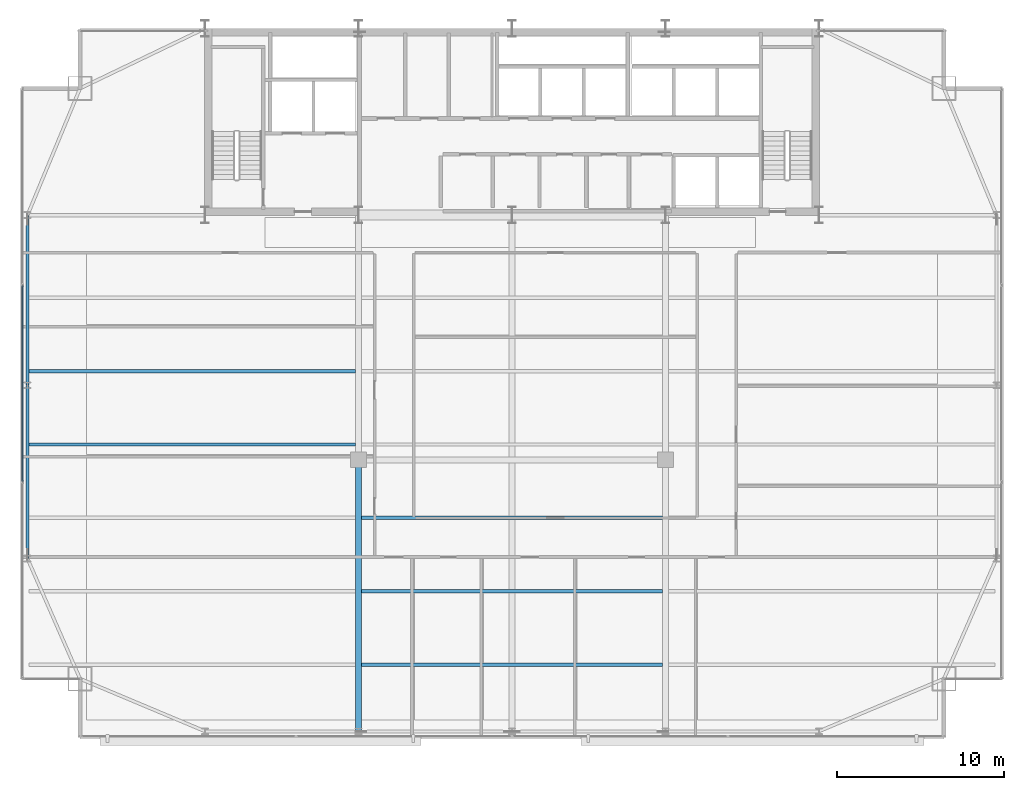
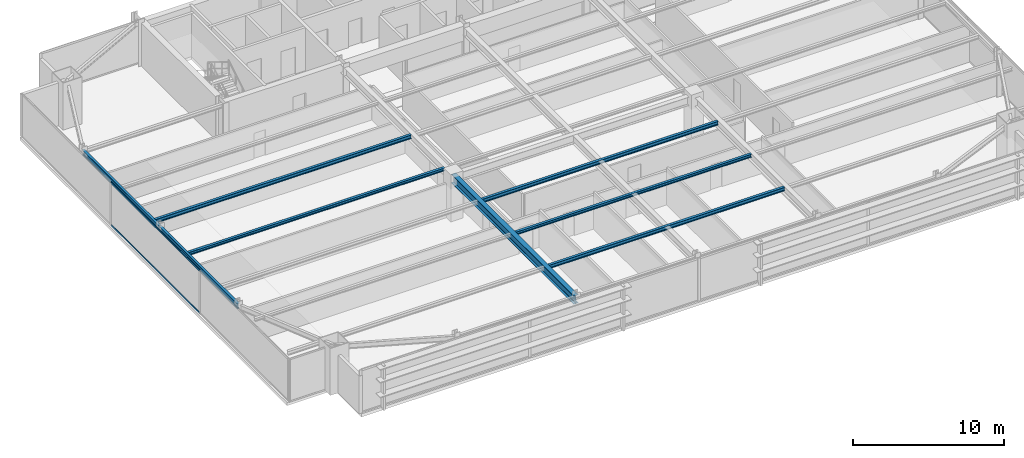
# One storey, part 9 of 33: 8 beams, 2 members, 1 element without a shape of its own.
"""IFC4 building model written with IfcOpenShell, lengths in metres."""

from ifc_helpers import new_model, si_unit, direction, frame, origin, origin_2d, place, context, subcontext, project, spatial, hollow_rectangle, i_section, extrude, source, transform, mapped, material, layer, layer_set, material_profile, profile_set, type_object, type_shapes, element, aggregate, save


model = new_model("IFC4")

# Units and contexts
model_context = context("Model", 3, precision=1e-05, world=origin(), true_north=direction((0.0, 1.0)))
body_context = subcontext(model_context, "Body", "Model", "MODEL_VIEW")
ifc_project = project(units=[si_unit("LENGTHUNIT", "METRE"), si_unit("AREAUNIT", "SQUARE_METRE"), si_unit("VOLUMEUNIT", "CUBIC_METRE"), si_unit("PLANEANGLEUNIT", "RADIAN"), si_unit("MASSUNIT", "GRAM", prefix="KILO")], contexts=[model_context])

# Site, building, storey
site_placement = place(None, origin())
site = spatial("IfcSite", under=ifc_project, at=site_placement, CompositionType="ELEMENT")
building_placement = place(site_placement, origin())
building = spatial("IfcBuilding", under=site, at=building_placement, Name="Varnel Quay Broadcast Tower", CompositionType="ELEMENT")
storey_placement = place(building_placement, frame((0.0, 0.0, 137.199951171875)))
storey = spatial("IfcBuildingStorey", under=building, at=storey_placement, Name="L33", CompositionType="ELEMENT", Elevation=137.199951171875)

# Beams
ifc_material_1 = material(Name="Structural Steel CSA G40.21 350W", Category="steel")
ifc_material_profile_1 = material_profile(ifc_material_1, i_section(OverallWidth=0.180908203125, OverallDepth=0.4169921875, WebThickness=0.010986328125, FlangeThickness=0.018310546875, FilletRadius=0.011962890625, at=origin_2d()), Name="W410X85")
ifc_profile_set_1 = profile_set([ifc_material_profile_1], Name="Structural Steel CSA G40.21 350W")
beam_type_1 = type_object("IfcBeamType", Name="Beam_W410X85", PredefinedType="SPANDREL", material=ifc_profile_set_1)
shared_shape_1 = source(origin(), body_context, "Body", "SweptSolid", [
    extrude(i_section(OverallWidth=0.180908203125, OverallDepth=0.4169921875, WebThickness=0.010986328125, FlangeThickness=0.018310546875, FilletRadius=0.011962890625, at=origin_2d()), origin(), (0.0, 0.0, 1.0), 10.35986328125),
])
beam_1_placement = place(storey_placement, frame((4.949951171875, 15.02001953125, 3.271484375), z_axis=(0.0, 1.0, 0.0), x_axis=(-1.0, 0.0, 0.0)))
element("IfcBeam", 1, at=beam_1_placement, inside=storey, type_object=beam_type_1, Name="L33 West Spandrel TC-W1-TC-W2", PredefinedType="SPANDREL", context=body_context, shape_type="MappedRepresentation", body=[
    mapped(shared_shape_1, transform((0.0, 0.0, 0.0), x_axis=(1.0, 0.0, 0.0), y_axis=(0.0, 1.0, 0.0), z_axis=(0.0, 0.0, 1.0), scale=1.0)),
])
shared_shape_2 = source(origin(), body_context, "Body", "SweptSolid", [
    extrude(i_section(OverallWidth=0.180908203125, OverallDepth=0.4169921875, WebThickness=0.010986328125, FlangeThickness=0.018310546875, FilletRadius=0.011962890625, at=origin_2d()), origin(), (0.0, 0.0, 1.0), 10.16015625),
])
type_shapes(beam_type_1, [shared_shape_1, shared_shape_2])
beam_2_placement = place(storey_placement, frame((4.949951171875, 25.419921875, 3.271484375), z_axis=(0.0, 1.0, 0.0), x_axis=(-1.0, 0.0, 0.0)))
element("IfcBeam", 2, at=beam_2_placement, inside=storey, type_object=beam_type_1, Name="L33 West Spandrel TC-W2-TC-W3", PredefinedType="SPANDREL", context=body_context, shape_type="MappedRepresentation", body=[
    mapped(shared_shape_2, transform((0.0, 0.0, 0.0), x_axis=(1.0, 0.0, 0.0), y_axis=(0.0, 1.0, 0.0), z_axis=(0.0, 0.0, 1.0), scale=1.0)),
])
ifc_material_profile_2 = material_profile(ifc_material_1, i_section(OverallWidth=0.35498046875, OverallDepth=0.695068359375, WebThickness=0.015380859375, FlangeThickness=0.02490234375, FilletRadius=0.01806640625, at=origin_2d()), Name="W690X217")
ifc_profile_set_2 = profile_set([ifc_material_profile_2], Name="Structural Steel CSA G40.21 350W")
beam_type_2 = type_object("IfcBeamType", Name="Girder_W690X217", PredefinedType="BEAM", material=ifc_profile_set_2)
shared_shape_3 = source(origin(), body_context, "Body", "SweptSolid", [
    extrude(i_section(OverallWidth=0.35498046875, OverallDepth=0.695068359375, WebThickness=0.015380859375, FlangeThickness=0.02490234375, FilletRadius=0.01806640625, at=origin_2d()), origin(), (0.0, 0.0, 1.0), 16.239990234375),
])
type_shapes(beam_type_2, [shared_shape_3])
beam_3_placement = place(storey_placement, frame((24.800048828125, 4.669921875, 3.132568359375), z_axis=(0.0, 1.0, 0.0), x_axis=(-1.0, 0.0, 0.0)))
element("IfcBeam", 3, at=beam_3_placement, inside=storey, type_object=beam_type_2, Name="L33 Primary Girder TC-S2-IC-01", PredefinedType="BEAM", context=body_context, shape_type="MappedRepresentation", body=[
    mapped(shared_shape_3, transform((0.0, 0.0, 0.0), x_axis=(1.0, 0.0, 0.0), y_axis=(0.0, 1.0, 0.0), z_axis=(0.0, 0.0, 1.0), scale=1.0)),
])
ifc_material_profile_3 = material_profile(ifc_material_1, i_section(OverallWidth=0.202880859375, OverallDepth=0.302978515625, WebThickness=0.007568359375, FlangeThickness=0.01318359375, FilletRadius=0.011962890625, at=origin_2d()), Name="W310X60")
ifc_profile_set_3 = profile_set([ifc_material_profile_3], Name="Structural Steel CSA G40.21 350W")
beam_type_3 = type_object("IfcBeamType", Name="Beam_W310X60", PredefinedType="JOIST", material=ifc_profile_set_3)
shared_shape_4 = source(origin(), body_context, "Body", "SweptSolid", [
    extrude(i_section(OverallWidth=0.202880859375, OverallDepth=0.302978515625, WebThickness=0.007568359375, FlangeThickness=0.01318359375, FilletRadius=0.011962890625, at=origin_2d()), origin(), (0.0, 0.0, 1.0), 19.592041015625),
])
beam_4_placement = place(storey_placement, frame((5.035400390625, 26.25, 3.32861328125), z_axis=(1.0, 0.0, 0.0), x_axis=(0.0, 1.0, 0.0)))
element("IfcBeam", 4, at=beam_4_placement, inside=storey, type_object=beam_type_3, Name="L33 West Floor Joist 5", PredefinedType="JOIST", context=body_context, shape_type="MappedRepresentation", body=[
    mapped(shared_shape_4, transform((0.0, 0.0, 0.0), x_axis=(1.0, 0.0, 0.0), y_axis=(0.0, 1.0, 0.0), z_axis=(0.0, 0.0, 1.0), scale=1.0)),
])
shared_shape_5 = source(origin(), body_context, "Body", "SweptSolid", [
    extrude(i_section(OverallWidth=0.202880859375, OverallDepth=0.302978515625, WebThickness=0.007568359375, FlangeThickness=0.01318359375, FilletRadius=0.011962890625, at=origin_2d()), origin(), (0.0, 0.0, 1.0), 18.05517578125),
])
type_shapes(beam_type_3, [shared_shape_4, shared_shape_5])
for number, where, z_axis, x_axis, name in (
    (5, (24.972412109375, 8.64990234375, 3.32861328125), (1.0, 0.0, 0.0), (0.0, 1.0, 0.0), "L33 Central Floor Joist 1"),
    (6, (24.972412109375, 17.449951171875, 3.32861328125), (1.0, 0.0, 0.0), (0.0, 1.0, 0.0), "L33 Central Floor Joist 3"),
):
    element("IfcBeam", number, at=place(storey_placement, frame(where, z_axis=z_axis, x_axis=x_axis)), inside=storey, type_object=beam_type_3, Name=name, PredefinedType="JOIST", context=body_context, shape_type="MappedRepresentation", body=[
        mapped(shared_shape_5, transform((0.0, 0.0, 0.0), x_axis=(1.0, 0.0, 0.0), y_axis=(0.0, 1.0, 0.0), z_axis=(0.0, 0.0, 1.0), scale=1.0)),
    ])
ifc_material_profile_4 = material_profile(ifc_material_1, i_section(OverallWidth=0.201904296875, OverallDepth=0.2470703125, WebThickness=0.00732421875, FlangeThickness=0.010986328125, FilletRadius=0.010986328125, at=origin_2d()), Name="W250X49")
ifc_profile_set_4 = profile_set([ifc_material_profile_4], Name="Structural Steel CSA G40.21 350W")
beam_type_4 = type_object("IfcBeamType", Name="Beam_W250X49", PredefinedType="JOIST", material=ifc_profile_set_4)
shared_shape_6 = source(origin(), body_context, "Body", "SweptSolid", [
    extrude(i_section(OverallWidth=0.201904296875, OverallDepth=0.2470703125, WebThickness=0.00732421875, FlangeThickness=0.010986328125, FilletRadius=0.010986328125, at=origin_2d()), origin(), (0.0, 0.0, 1.0), 19.592041015625),
])
beam_5_placement = place(storey_placement, frame((5.035400390625, 21.85009765625, 3.3564453125), z_axis=(1.0, 0.0, 0.0), x_axis=(0.0, 1.0, 0.0)))
element("IfcBeam", 7, at=beam_5_placement, inside=storey, type_object=beam_type_4, Name="L33 West Floor Joist 4", PredefinedType="JOIST", context=body_context, shape_type="MappedRepresentation", body=[
    mapped(shared_shape_6, transform((0.0, 0.0, 0.0), x_axis=(1.0, 0.0, 0.0), y_axis=(0.0, 1.0, 0.0), z_axis=(0.0, 0.0, 1.0), scale=1.0)),
])
shared_shape_7 = source(origin(), body_context, "Body", "SweptSolid", [
    extrude(i_section(OverallWidth=0.201904296875, OverallDepth=0.2470703125, WebThickness=0.00732421875, FlangeThickness=0.010986328125, FilletRadius=0.010986328125, at=origin_2d()), origin(), (0.0, 0.0, 1.0), 18.05517578125),
])
type_shapes(beam_type_4, [shared_shape_6, shared_shape_7])
beam_6_placement = place(storey_placement, frame((24.972412109375, 13.050048828125, 3.3564453125), z_axis=(1.0, 0.0, 0.0), x_axis=(0.0, 1.0, 0.0)))
element("IfcBeam", 8, at=beam_6_placement, inside=storey, type_object=beam_type_4, Name="L33 Central Floor Joist 2", PredefinedType="JOIST", context=body_context, shape_type="MappedRepresentation", body=[
    mapped(shared_shape_7, transform((0.0, 0.0, 0.0), x_axis=(1.0, 0.0, 0.0), y_axis=(0.0, 1.0, 0.0), z_axis=(0.0, 0.0, 1.0), scale=1.0)),
])

# Curtain wall, members
ifc_material_2 = material(Name="Anodised Bronze Aluminium 6063-T6", Category="aluminium")
ifc_layer = layer(ifc_material_2, 0.18994140625, Name="Anodised Bronze Aluminium 6063-T6")
ifc_layer_set = layer_set([ifc_layer], Name="Anodised Bronze Aluminium 6063-T6")
curtain_wall_type = type_object("IfcCurtainWallType", Name="CW_LowerTower", PredefinedType="NOTDEFINED", material=ifc_layer_set)
curtain_wall_placement = place(storey_placement, origin())
curtain_wall = element("IfcCurtainWall", 9, at=curtain_wall_placement, inside=storey, type_object=curtain_wall_type, Name="L33 West Unitised Curtain Wall", PredefinedType="NOTDEFINED")
ifc_material_profile_5 = material_profile(ifc_material_2, hollow_rectangle(XDim=0.06005859375, YDim=0.14501953125, WallThickness=0.00341796875, at=origin_2d()), Name="ALU60X145X3.5")
ifc_profile_set_5 = profile_set([ifc_material_profile_5], Name="Anodised Bronze Aluminium 6063-T6")
member_type = type_object("IfcMemberType", Name="Tran_CWS-02", PredefinedType="USERDEFINED", material=ifc_profile_set_5)
shared_shape_8 = source(origin(), body_context, "Body", "SweptSolid", [
    extrude(hollow_rectangle(XDim=0.06005859375, YDim=0.14501953125, WallThickness=0.00341796875, at=origin_2d()), origin(), (0.0, 0.0, 1.0), 11.72998046875),
])
type_shapes(member_type, [shared_shape_8])
member_1_placement = place(storey_placement, frame((4.64990234375, 19.635009765625, 0.030029296875), z_axis=(0.0, 1.0, 0.0), x_axis=(-1.0, 0.0, 0.0)))
member_1 = element("IfcMember", 10, at=member_1_placement, type_object=member_type, Name="CWS-02 transom 2.1", ObjectType="TRANSOM", PredefinedType="USERDEFINED", context=body_context, shape_type="MappedRepresentation", body=[
    mapped(shared_shape_8, transform((0.0, 0.0, 0.0), x_axis=(1.0, 0.0, 0.0), y_axis=(0.0, 1.0, 0.0), z_axis=(0.0, 0.0, 1.0), scale=1.0)),
])
member_2_placement = place(storey_placement, frame((4.64990234375, 19.635009765625, 3.449951171875), z_axis=(0.0, 1.0, 0.0), x_axis=(-1.0, 0.0, 0.0)))
member_2 = element("IfcMember", 11, at=member_2_placement, type_object=member_type, Name="CWS-02 transom 2.2", ObjectType="TRANSOM", PredefinedType="USERDEFINED", context=body_context, shape_type="MappedRepresentation", body=[
    mapped(shared_shape_8, transform((0.0, 0.0, 0.0), x_axis=(1.0, 0.0, 0.0), y_axis=(0.0, 1.0, 0.0), z_axis=(0.0, 0.0, 1.0), scale=1.0)),
])
aggregate(curtain_wall, [member_1, member_2])

save(model, "model.ifc")
